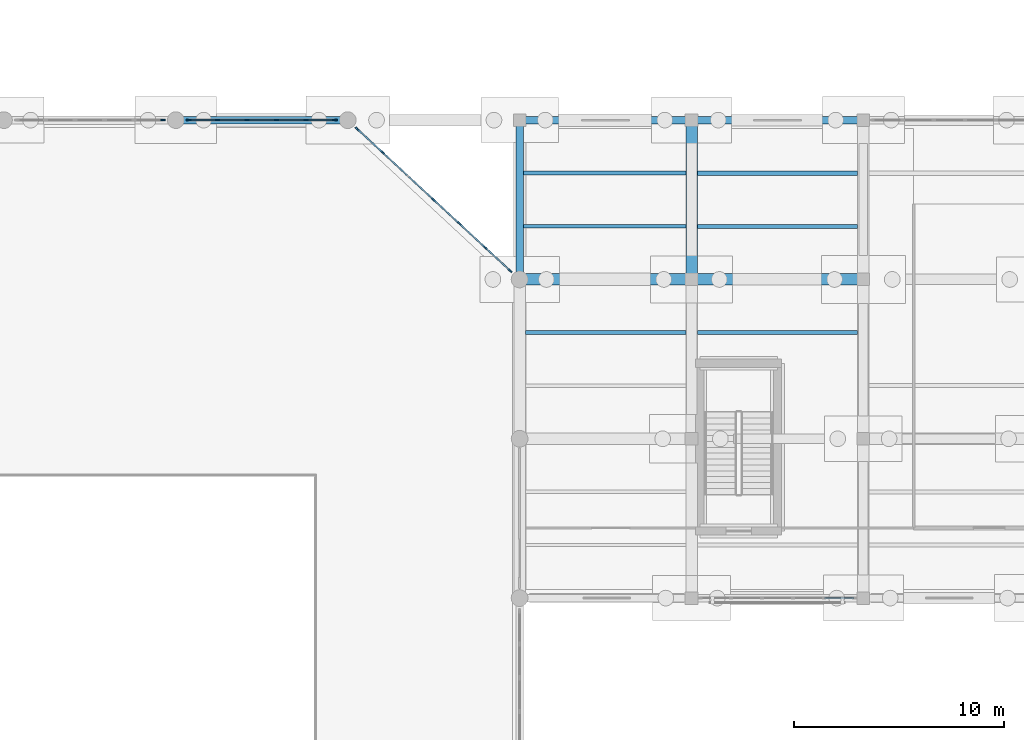
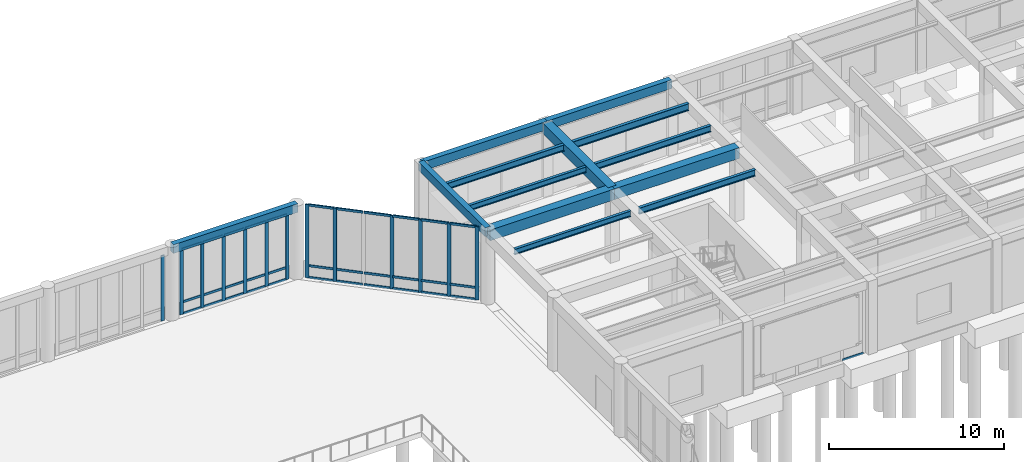
# One storey, part 26 of 64: 47 members, 13 beams, 4 elements without a shape of their own.
"""IFC4 building model written with IfcOpenShell, lengths in metres."""

from ifc_helpers import new_model, si_unit, direction, frame, origin, origin_2d, place, context, subcontext, project, spatial, rectangle, i_section, extrude, material, material_profile, profile_set, type_object, element, aggregate, save


model = new_model("IFC4")

# Units and contexts
model_context = context("Model", 3, precision=1e-05, world=origin(), true_north=direction((0.0, 1.0)))
body_context = subcontext(model_context, "Body", "Model", "MODEL_VIEW")
ifc_project = project(units=[si_unit("LENGTHUNIT", "METRE"), si_unit("AREAUNIT", "SQUARE_METRE"), si_unit("VOLUMEUNIT", "CUBIC_METRE"), si_unit("PLANEANGLEUNIT", "RADIAN"), si_unit("MASSUNIT", "GRAM", prefix="KILO")], contexts=[model_context])

# Site, building, storey
site_placement = place(None, origin())
site = spatial("IfcSite", under=ifc_project, at=site_placement, CompositionType="ELEMENT")
building_placement = place(site_placement, origin())
building = spatial("IfcBuilding", under=site, at=building_placement, Name="Qandaris Square Conservatory and Botanical Centre", CompositionType="ELEMENT")
storey_placement = place(building_placement, origin())
storey = spatial("IfcBuildingStorey", under=building, at=storey_placement, Name="L00", CompositionType="ELEMENT", Elevation=0.0)

# Beams
ifc_material_1 = material(Name="Steel S355", Category="steel")
ifc_material_profile_1 = material_profile(ifc_material_1, i_section(OverallWidth=0.18994140625, OverallDepth=0.449951171875, WebThickness=0.009521484375, FlangeThickness=0.0146484375, FilletRadius=0.02099609375, at=origin_2d()), Name="IPE 450")
ifc_profile_set_1 = profile_set([ifc_material_profile_1], Name="Steel S355")
beam_type_1 = type_object("IfcBeamType", Name="Composite Archive Joist IPE 450", PredefinedType="JOIST", material=ifc_profile_set_1)
beam_1_placement = place(storey_placement, frame((57.375, 112.86669921875, 4.864990234375), z_axis=(1.0, 0.0, 0.0), x_axis=(0.0, 1.0, 0.0)))
element("IfcBeam", 1, at=beam_1_placement, inside=storey, type_object=beam_type_1, Name="L00 Composite Joist 0722", PredefinedType="JOIST", context=body_context, shape_type="SweptSolid", body=[
    extrude(i_section(OverallWidth=0.18994140625, OverallDepth=0.449951171875, WebThickness=0.009521484375, FlangeThickness=0.0146484375, FilletRadius=0.02099609375, at=origin_2d()), origin(), (0.0, 0.0, 1.0), 7.75),
])
for number, where, z_axis, x_axis, name in (
    (2, (65.675048828125, 105.2666015625, 4.864990234375), (1.0, 0.0, 0.0), (0.0, 1.0, 0.0), "L00 Composite Joist 0724"),
    (3, (65.675048828125, 110.333251953125, 4.864990234375), (1.0, 0.0, 0.0), (0.0, 1.0, 0.0), "L00 Composite Joist 0725"),
):
    element("IfcBeam", number, at=place(storey_placement, frame(where, z_axis=z_axis, x_axis=x_axis)), inside=storey, type_object=beam_type_1, Name=name, PredefinedType="JOIST", context=body_context, shape_type="SweptSolid", body=[
        extrude(i_section(OverallWidth=0.18994140625, OverallDepth=0.449951171875, WebThickness=0.009521484375, FlangeThickness=0.0146484375, FilletRadius=0.02099609375, at=origin_2d()), origin(), (0.0, 0.0, 1.0), 7.64990234375),
    ])
ifc_material_profile_2 = material_profile(ifc_material_1, i_section(OverallWidth=0.199951171875, OverallDepth=0.5, WebThickness=0.01025390625, FlangeThickness=0.01611328125, FilletRadius=0.02099609375, at=origin_2d()), Name="IPE 500")
ifc_profile_set_2 = profile_set([ifc_material_profile_2], Name="Steel S355")
beam_type_2 = type_object("IfcBeamType", Name="Composite Gallery Joist IPE 500", PredefinedType="JOIST", material=ifc_profile_set_2)
beam_2_placement = place(storey_placement, frame((65.675048828125, 112.86669921875, 4.840087890625), z_axis=(1.0, 0.0, 0.0), x_axis=(0.0, 1.0, 0.0)))
element("IfcBeam", 4, at=beam_2_placement, inside=storey, type_object=beam_type_2, Name="L00 Composite Joist 0726", PredefinedType="JOIST", context=body_context, shape_type="SweptSolid", body=[
    extrude(i_section(OverallWidth=0.199951171875, OverallDepth=0.5, WebThickness=0.01025390625, FlangeThickness=0.01611328125, FilletRadius=0.02099609375, at=origin_2d()), origin(), (0.0, 0.0, 1.0), 7.64990234375),
])
ifc_material_profile_3 = material_profile(ifc_material_1, i_section(OverallWidth=0.179931640625, OverallDepth=0.39990234375, WebThickness=0.008544921875, FlangeThickness=0.013427734375, FilletRadius=0.02099609375, at=origin_2d()), Name="IPE 400")
ifc_profile_set_3 = profile_set([ifc_material_profile_3], Name="Steel S355")
beam_type_3 = type_object("IfcBeamType", Name="Composite Plinth Joist IPE 400", PredefinedType="JOIST", material=ifc_profile_set_3)
beam_3_placement = place(storey_placement, frame((57.47509765625, 105.2666015625, 4.889892578125), z_axis=(1.0, 0.0, 0.0), x_axis=(0.0, 1.0, 0.0)))
element("IfcBeam", 5, at=beam_3_placement, inside=storey, type_object=beam_type_3, Name="L00 Composite Joist 0720", PredefinedType="JOIST", context=body_context, shape_type="SweptSolid", body=[
    extrude(i_section(OverallWidth=0.179931640625, OverallDepth=0.39990234375, WebThickness=0.008544921875, FlangeThickness=0.013427734375, FilletRadius=0.02099609375, at=origin_2d()), origin(), (0.0, 0.0, 1.0), 7.64990234375),
])
beam_4_placement = place(storey_placement, frame((57.375, 110.333251953125, 4.889892578125), z_axis=(1.0, 0.0, 0.0), x_axis=(0.0, 1.0, 0.0)))
element("IfcBeam", 6, at=beam_4_placement, inside=storey, type_object=beam_type_3, Name="L00 Composite Joist 0721", PredefinedType="JOIST", context=body_context, shape_type="SweptSolid", body=[
    extrude(i_section(OverallWidth=0.179931640625, OverallDepth=0.39990234375, WebThickness=0.008544921875, FlangeThickness=0.013427734375, FilletRadius=0.02099609375, at=origin_2d()), origin(), (0.0, 0.0, 1.0), 7.75),
])

# Curtain wall, members
ifc_material_2 = material(Name="Anodised Aluminium", Category="aluminium")
curtain_wall_type_1 = type_object("IfcCurtainWallType", Name="Unitised Curtain Wall CW-1-1002x510", PredefinedType="USERDEFINED", material=ifc_material_2)
curtain_wall_1_placement = place(storey_placement, origin())
curtain_wall_1 = element("IfcCurtainWall", 7, at=curtain_wall_1_placement, inside=storey, type_object=curtain_wall_type_1, Name="Curtain Wall CW-CON-L00-4-1", ObjectType="GLAZED CURTAIN WALL", PredefinedType="USERDEFINED")
ifc_material_profile_4 = material_profile(ifc_material_2, rectangle(XDim=0.074951171875, YDim=0.219970703125, at=origin_2d()), Name="ALU-MUL 75x220")
ifc_profile_set_4 = profile_set([ifc_material_profile_4], Name="Anodised Aluminium")
member_type_1 = type_object("IfcMemberType", Name="Conservatory Heavy Mullion 75x220", PredefinedType="MULLION", material=ifc_profile_set_4)
member_1_placement = place(storey_placement, frame((56.7470703125, 108.2197265625, 0.0), z_axis=(0.0, 0.0, 1.0), x_axis=(-0.679761784592, -0.733432966404, 0.0)))
member_1 = element("IfcMember", 8, at=member_1_placement, type_object=member_type_1, Name="CW-1-1002x510 mullion 1", PredefinedType="MULLION", context=body_context, shape_type="SweptSolid", body=[
    extrude(rectangle(XDim=0.074951171875, YDim=0.219970703125, at=origin_2d()), origin(), (0.0, 0.0, 1.0), 5.10009765625),
])
member_2_placement = place(storey_placement, frame((55.5498046875, 109.32958984375, 0.0), z_axis=(0.0, 0.0, 1.0), x_axis=(-0.679761784592, -0.733432966404, 0.0)))
member_2 = element("IfcMember", 9, at=member_2_placement, type_object=member_type_1, Name="CW-1-1002x510 mullion 2", PredefinedType="MULLION", context=body_context, shape_type="SweptSolid", body=[
    extrude(rectangle(XDim=0.074951171875, YDim=0.219970703125, at=origin_2d()), origin(), (0.0, 0.0, 1.0), 5.10009765625),
])
member_3_placement = place(storey_placement, frame((54.324951171875, 110.46484375, 0.0), z_axis=(0.0, 0.0, 1.0), x_axis=(-0.679761784592, -0.733432966404, 0.0)))
member_3 = element("IfcMember", 10, at=member_3_placement, type_object=member_type_1, Name="CW-1-1002x510 mullion 3", PredefinedType="MULLION", context=body_context, shape_type="SweptSolid", body=[
    extrude(rectangle(XDim=0.074951171875, YDim=0.219970703125, at=origin_2d()), origin(), (0.0, 0.0, 1.0), 5.10009765625),
])
member_4_placement = place(storey_placement, frame((53.10009765625, 111.60009765625, 0.0), z_axis=(0.0, 0.0, 1.0), x_axis=(-0.679761784592, -0.733432966404, 0.0)))
member_4 = element("IfcMember", 11, at=member_4_placement, type_object=member_type_1, Name="CW-1-1002x510 mullion 4", PredefinedType="MULLION", context=body_context, shape_type="SweptSolid", body=[
    extrude(rectangle(XDim=0.074951171875, YDim=0.219970703125, at=origin_2d()), origin(), (0.0, 0.0, 1.0), 5.10009765625),
])
member_5_placement = place(storey_placement, frame((50.650146484375, 113.870361328125, 0.0), z_axis=(0.0, 0.0, 1.0), x_axis=(-0.679761784592, -0.733432966404, 0.0)))
member_5 = element("IfcMember", 12, at=member_5_placement, type_object=member_type_1, Name="CW-1-1002x510 mullion 6", PredefinedType="MULLION", context=body_context, shape_type="SweptSolid", body=[
    extrude(rectangle(XDim=0.074951171875, YDim=0.219970703125, at=origin_2d()), origin(), (0.0, 0.0, 1.0), 5.10009765625),
])
member_6_placement = place(storey_placement, frame((49.452880859375, 114.980224609375, 0.0), z_axis=(0.0, 0.0, 1.0), x_axis=(-0.679761784592, -0.733432966404, 0.0)))
member_6 = element("IfcMember", 13, at=member_6_placement, type_object=member_type_1, Name="CW-1-1002x510 mullion 7", PredefinedType="MULLION", context=body_context, shape_type="SweptSolid", body=[
    extrude(rectangle(XDim=0.074951171875, YDim=0.219970703125, at=origin_2d()), origin(), (0.0, 0.0, 1.0), 5.10009765625),
])

curtain_wall_type_2 = type_object("IfcCurtainWallType", Name="Unitised Curtain Wall CW-1-704x454", PredefinedType="USERDEFINED", material=ifc_material_2)
curtain_wall_2_placement = place(storey_placement, origin())
curtain_wall_2 = element("IfcCurtainWall", 14, at=curtain_wall_2_placement, inside=storey, type_object=curtain_wall_type_2, Name="Curtain Wall CW-CON-L00-5-1", ObjectType="GLAZED CURTAIN WALL", PredefinedType="USERDEFINED")
member_7_placement = place(storey_placement, frame((48.382568359375, 115.39990234375, 0.0), z_axis=(0.0, 0.0, 1.0), x_axis=(0.0, -1.0, 0.0)))
member_7 = element("IfcMember", 15, at=member_7_placement, type_object=member_type_1, Name="CW-1-704x454 mullion 1", PredefinedType="MULLION", context=body_context, shape_type="SweptSolid", body=[
    extrude(rectangle(XDim=0.074951171875, YDim=0.219970703125, at=origin_2d()), origin(), (0.0, 0.0, 1.0), 4.544921875),
])
member_8_placement = place(storey_placement, frame((47.011962890625, 115.39990234375, 0.0), z_axis=(0.0, 0.0, 1.0), x_axis=(0.0, -1.0, 0.0)))
member_8 = element("IfcMember", 16, at=member_8_placement, type_object=member_type_1, Name="CW-1-704x454 mullion 2", PredefinedType="MULLION", context=body_context, shape_type="SweptSolid", body=[
    extrude(rectangle(XDim=0.074951171875, YDim=0.219970703125, at=origin_2d()), origin(), (0.0, 0.0, 1.0), 4.544921875),
])
member_9_placement = place(storey_placement, frame((45.60400390625, 115.39990234375, 0.0), z_axis=(0.0, 0.0, 1.0), x_axis=(0.0, -1.0, 0.0)))
member_9 = element("IfcMember", 17, at=member_9_placement, type_object=member_type_1, Name="CW-1-704x454 mullion 3", PredefinedType="MULLION", context=body_context, shape_type="SweptSolid", body=[
    extrude(rectangle(XDim=0.074951171875, YDim=0.219970703125, at=origin_2d()), origin(), (0.0, 0.0, 1.0), 4.544921875),
])
member_10_placement = place(storey_placement, frame((44.196044921875, 115.39990234375, 0.0), z_axis=(0.0, 0.0, 1.0), x_axis=(0.0, -1.0, 0.0)))
member_10 = element("IfcMember", 18, at=member_10_placement, type_object=member_type_1, Name="CW-1-704x454 mullion 4", PredefinedType="MULLION", context=body_context, shape_type="SweptSolid", body=[
    extrude(rectangle(XDim=0.074951171875, YDim=0.219970703125, at=origin_2d()), origin(), (0.0, 0.0, 1.0), 4.544921875),
])
member_11_placement = place(storey_placement, frame((42.7880859375, 115.39990234375, 0.0), z_axis=(0.0, 0.0, 1.0), x_axis=(0.0, -1.0, 0.0)))
member_11 = element("IfcMember", 19, at=member_11_placement, type_object=member_type_1, Name="CW-1-704x454 mullion 5", PredefinedType="MULLION", context=body_context, shape_type="SweptSolid", body=[
    extrude(rectangle(XDim=0.074951171875, YDim=0.219970703125, at=origin_2d()), origin(), (0.0, 0.0, 1.0), 4.544921875),
])
member_12_placement = place(storey_placement, frame((41.41748046875, 115.39990234375, 0.0), z_axis=(0.0, 0.0, 1.0), x_axis=(0.0, -1.0, 0.0)))
member_12 = element("IfcMember", 20, at=member_12_placement, type_object=member_type_1, Name="CW-1-704x454 mullion 6", PredefinedType="MULLION", context=body_context, shape_type="SweptSolid", body=[
    extrude(rectangle(XDim=0.074951171875, YDim=0.219970703125, at=origin_2d()), origin(), (0.0, 0.0, 1.0), 4.544921875),
])

# Curtain wall, member
curtain_wall_3_placement = place(storey_placement, origin())
curtain_wall_3 = element("IfcCurtainWall", 21, at=curtain_wall_3_placement, inside=storey, type_object=curtain_wall_type_2, Name="Curtain Wall CW-CON-L00-5-2", ObjectType="GLAZED CURTAIN WALL", PredefinedType="USERDEFINED")
member_13_placement = place(storey_placement, frame((40.1826171875, 115.39990234375, 0.0), z_axis=(0.0, 0.0, 1.0), x_axis=(0.0, -1.0, 0.0)))
member_13 = element("IfcMember", 22, at=member_13_placement, type_object=member_type_1, Name="CW-1-704x454 mullion 1", PredefinedType="MULLION", context=body_context, shape_type="SweptSolid", body=[
    extrude(rectangle(XDim=0.074951171875, YDim=0.219970703125, at=origin_2d()), origin(), (0.0, 0.0, 1.0), 4.544921875),
])
aggregate(curtain_wall_3, [member_13])

# Member
ifc_material_profile_5 = material_profile(ifc_material_2, rectangle(XDim=0.074951171875, YDim=0.159912109375, at=origin_2d()), Name="ALU-TRN 75x160")
ifc_profile_set_5 = profile_set([ifc_material_profile_5], Name="Anodised Aluminium")
member_type_2 = type_object("IfcMemberType", Name="Conservatory Heavy Transom 75x160", PredefinedType="USERDEFINED", material=ifc_profile_set_5)
member_14_placement = place(storey_placement, frame((56.719482421875, 108.245361328125, 0.03759765625), z_axis=(-0.7334798559, 0.679711189395, 0.0), x_axis=(-0.679711189395, -0.7334798559, 0.0)))
member_14 = element("IfcMember", 23, at=member_14_placement, type_object=member_type_2, Name="CW-1-1002x510 transom 1.1", ObjectType="TRANSOM", PredefinedType="USERDEFINED", context=body_context, shape_type="SweptSolid", body=[
    extrude(rectangle(XDim=0.074951171875, YDim=0.159912109375, at=origin_2d()), origin(), (0.0, 0.0, 1.0), 1.557373046875),
])

member_15_placement = place(storey_placement, frame((56.719482421875, 108.245361328125, 0.85009765625), z_axis=(-0.7334798559, 0.679711189395, 0.0), x_axis=(-0.679711189395, -0.7334798559, 0.0)))
member_15 = element("IfcMember", 24, at=member_15_placement, type_object=member_type_2, Name="CW-1-1002x510 transom 1.2", ObjectType="TRANSOM", PredefinedType="USERDEFINED", context=body_context, shape_type="SweptSolid", body=[
    extrude(rectangle(XDim=0.074951171875, YDim=0.159912109375, at=origin_2d()), origin(), (0.0, 0.0, 1.0), 1.557373046875),
])

member_16_placement = place(storey_placement, frame((56.719482421875, 108.245361328125, 5.0625), z_axis=(-0.7334798559, 0.679711189395, 0.0), x_axis=(-0.679711189395, -0.7334798559, 0.0)))
member_16 = element("IfcMember", 25, at=member_16_placement, type_object=member_type_2, Name="CW-1-1002x510 transom 1.3", ObjectType="TRANSOM", PredefinedType="USERDEFINED", context=body_context, shape_type="SweptSolid", body=[
    extrude(rectangle(XDim=0.074951171875, YDim=0.159912109375, at=origin_2d()), origin(), (0.0, 0.0, 1.0), 1.557373046875),
])

member_17_placement = place(storey_placement, frame((55.522216796875, 109.35498046875, 0.03759765625), z_axis=(-0.733458213943, 0.679734542597, 0.0), x_axis=(-0.679734542597, -0.733458213943, 0.0)))
member_17 = element("IfcMember", 26, at=member_17_placement, type_object=member_type_2, Name="CW-1-1002x510 transom 2.1", ObjectType="TRANSOM", PredefinedType="USERDEFINED", context=body_context, shape_type="SweptSolid", body=[
    extrude(rectangle(XDim=0.074951171875, YDim=0.159912109375, at=origin_2d()), origin(), (0.0, 0.0, 1.0), 1.594970703125),
])

member_18_placement = place(storey_placement, frame((55.522216796875, 109.35498046875, 0.85009765625), z_axis=(-0.733458213943, 0.679734542597, 0.0), x_axis=(-0.679734542597, -0.733458213943, 0.0)))
member_18 = element("IfcMember", 27, at=member_18_placement, type_object=member_type_2, Name="CW-1-1002x510 transom 2.2", ObjectType="TRANSOM", PredefinedType="USERDEFINED", context=body_context, shape_type="SweptSolid", body=[
    extrude(rectangle(XDim=0.074951171875, YDim=0.159912109375, at=origin_2d()), origin(), (0.0, 0.0, 1.0), 1.594970703125),
])

member_19_placement = place(storey_placement, frame((55.522216796875, 109.35498046875, 5.0625), z_axis=(-0.733458213943, 0.679734542597, 0.0), x_axis=(-0.679734542597, -0.733458213943, 0.0)))
member_19 = element("IfcMember", 28, at=member_19_placement, type_object=member_type_2, Name="CW-1-1002x510 transom 2.3", ObjectType="TRANSOM", PredefinedType="USERDEFINED", context=body_context, shape_type="SweptSolid", body=[
    extrude(rectangle(XDim=0.074951171875, YDim=0.159912109375, at=origin_2d()), origin(), (0.0, 0.0, 1.0), 1.594970703125),
])

member_20_placement = place(storey_placement, frame((54.29736328125, 110.490234375, 0.03759765625), z_axis=(-0.733458213943, 0.679734542597, 0.0), x_axis=(-0.679734542597, -0.733458213943, 0.0)))
member_20 = element("IfcMember", 29, at=member_20_placement, type_object=member_type_2, Name="CW-1-1002x510 transom 3.1", ObjectType="TRANSOM", PredefinedType="USERDEFINED", context=body_context, shape_type="SweptSolid", body=[
    extrude(rectangle(XDim=0.074951171875, YDim=0.159912109375, at=origin_2d()), origin(), (0.0, 0.0, 1.0), 1.594970703125),
])

member_21_placement = place(storey_placement, frame((54.29736328125, 110.490234375, 0.85009765625), z_axis=(-0.733458213943, 0.679734542597, 0.0), x_axis=(-0.679734542597, -0.733458213943, 0.0)))
member_21 = element("IfcMember", 30, at=member_21_placement, type_object=member_type_2, Name="CW-1-1002x510 transom 3.2", ObjectType="TRANSOM", PredefinedType="USERDEFINED", context=body_context, shape_type="SweptSolid", body=[
    extrude(rectangle(XDim=0.074951171875, YDim=0.159912109375, at=origin_2d()), origin(), (0.0, 0.0, 1.0), 1.594970703125),
])

member_22_placement = place(storey_placement, frame((54.29736328125, 110.490234375, 5.0625), z_axis=(-0.733458213943, 0.679734542597, 0.0), x_axis=(-0.679734542597, -0.733458213943, 0.0)))
member_22 = element("IfcMember", 31, at=member_22_placement, type_object=member_type_2, Name="CW-1-1002x510 transom 3.3", ObjectType="TRANSOM", PredefinedType="USERDEFINED", context=body_context, shape_type="SweptSolid", body=[
    extrude(rectangle(XDim=0.074951171875, YDim=0.159912109375, at=origin_2d()), origin(), (0.0, 0.0, 1.0), 1.594970703125),
])

member_23_placement = place(storey_placement, frame((53.072509765625, 111.62548828125, 0.03759765625), z_axis=(-0.733458213943, 0.679734542597, 0.0), x_axis=(-0.679734542597, -0.733458213943, 0.0)))
member_23 = element("IfcMember", 32, at=member_23_placement, type_object=member_type_2, Name="CW-1-1002x510 transom 4.1", ObjectType="TRANSOM", PredefinedType="USERDEFINED", context=body_context, shape_type="SweptSolid", body=[
    extrude(rectangle(XDim=0.074951171875, YDim=0.159912109375, at=origin_2d()), origin(), (0.0, 0.0, 1.0), 1.594970703125),
])

member_24_placement = place(storey_placement, frame((53.072509765625, 111.62548828125, 0.85009765625), z_axis=(-0.733458213943, 0.679734542597, 0.0), x_axis=(-0.679734542597, -0.733458213943, 0.0)))
member_24 = element("IfcMember", 33, at=member_24_placement, type_object=member_type_2, Name="CW-1-1002x510 transom 4.2", ObjectType="TRANSOM", PredefinedType="USERDEFINED", context=body_context, shape_type="SweptSolid", body=[
    extrude(rectangle(XDim=0.074951171875, YDim=0.159912109375, at=origin_2d()), origin(), (0.0, 0.0, 1.0), 1.594970703125),
])

member_25_placement = place(storey_placement, frame((53.072509765625, 111.62548828125, 5.0625), z_axis=(-0.733458213943, 0.679734542597, 0.0), x_axis=(-0.679734542597, -0.733458213943, 0.0)))
member_25 = element("IfcMember", 34, at=member_25_placement, type_object=member_type_2, Name="CW-1-1002x510 transom 4.3", ObjectType="TRANSOM", PredefinedType="USERDEFINED", context=body_context, shape_type="SweptSolid", body=[
    extrude(rectangle(XDim=0.074951171875, YDim=0.159912109375, at=origin_2d()), origin(), (0.0, 0.0, 1.0), 1.594970703125),
])

member_26_placement = place(storey_placement, frame((51.84765625, 112.7607421875, 0.03759765625), z_axis=(-0.733458213943, 0.679734542597, 0.0), x_axis=(-0.679734542597, -0.733458213943, 0.0)))
member_26 = element("IfcMember", 35, at=member_26_placement, type_object=member_type_2, Name="CW-1-1002x510 transom 5.1", ObjectType="TRANSOM", PredefinedType="USERDEFINED", context=body_context, shape_type="SweptSolid", body=[
    extrude(rectangle(XDim=0.074951171875, YDim=0.159912109375, at=origin_2d()), origin(), (0.0, 0.0, 1.0), 1.594970703125),
])

member_27_placement = place(storey_placement, frame((51.84765625, 112.7607421875, 0.85009765625), z_axis=(-0.733458213943, 0.679734542597, 0.0), x_axis=(-0.679734542597, -0.733458213943, 0.0)))
member_27 = element("IfcMember", 36, at=member_27_placement, type_object=member_type_2, Name="CW-1-1002x510 transom 5.2", ObjectType="TRANSOM", PredefinedType="USERDEFINED", context=body_context, shape_type="SweptSolid", body=[
    extrude(rectangle(XDim=0.074951171875, YDim=0.159912109375, at=origin_2d()), origin(), (0.0, 0.0, 1.0), 1.594970703125),
])

member_28_placement = place(storey_placement, frame((51.84765625, 112.7607421875, 5.0625), z_axis=(-0.733458213943, 0.679734542597, 0.0), x_axis=(-0.679734542597, -0.733458213943, 0.0)))
member_28 = element("IfcMember", 37, at=member_28_placement, type_object=member_type_2, Name="CW-1-1002x510 transom 5.3", ObjectType="TRANSOM", PredefinedType="USERDEFINED", context=body_context, shape_type="SweptSolid", body=[
    extrude(rectangle(XDim=0.074951171875, YDim=0.159912109375, at=origin_2d()), origin(), (0.0, 0.0, 1.0), 1.594970703125),
])

member_29_placement = place(storey_placement, frame((50.622802734375, 113.89599609375, 0.03759765625), z_axis=(-0.733401706001, 0.679795511632, 0.0), x_axis=(-0.679795511632, -0.733401706001, 0.0)))
member_29 = element("IfcMember", 38, at=member_29_placement, type_object=member_type_2, Name="CW-1-1002x510 transom 6.1", ObjectType="TRANSOM", PredefinedType="USERDEFINED", context=body_context, shape_type="SweptSolid", body=[
    extrude(rectangle(XDim=0.074951171875, YDim=0.159912109375, at=origin_2d()), origin(), (0.0, 0.0, 1.0), 1.5576171875),
])

member_30_placement = place(storey_placement, frame((50.622802734375, 113.89599609375, 0.85009765625), z_axis=(-0.733401706001, 0.679795511632, 0.0), x_axis=(-0.679795511632, -0.733401706001, 0.0)))
member_30 = element("IfcMember", 39, at=member_30_placement, type_object=member_type_2, Name="CW-1-1002x510 transom 6.2", ObjectType="TRANSOM", PredefinedType="USERDEFINED", context=body_context, shape_type="SweptSolid", body=[
    extrude(rectangle(XDim=0.074951171875, YDim=0.159912109375, at=origin_2d()), origin(), (0.0, 0.0, 1.0), 1.5576171875),
])

member_31_placement = place(storey_placement, frame((50.622802734375, 113.89599609375, 5.0625), z_axis=(-0.733401706001, 0.679795511632, 0.0), x_axis=(-0.679795511632, -0.733401706001, 0.0)))
member_31 = element("IfcMember", 40, at=member_31_placement, type_object=member_type_2, Name="CW-1-1002x510 transom 6.3", ObjectType="TRANSOM", PredefinedType="USERDEFINED", context=body_context, shape_type="SweptSolid", body=[
    extrude(rectangle(XDim=0.074951171875, YDim=0.159912109375, at=origin_2d()), origin(), (0.0, 0.0, 1.0), 1.5576171875),
])

aggregate(curtain_wall_1, [member_1, member_2, member_3, member_4, member_5, member_6, member_14, member_15, member_16, member_17, member_18, member_19, member_20, member_21, member_22, member_23, member_24, member_25, member_26, member_27, member_28, member_29, member_30, member_31])

member_32_placement = place(storey_placement, frame((48.344970703125, 115.39990234375, 0.03759765625), z_axis=(-1.0, 0.0, 0.0), x_axis=(0.0, -1.0, 0.0)))
member_32 = element("IfcMember", 41, at=member_32_placement, type_object=member_type_2, Name="CW-1-704x454 transom 1.1", ObjectType="TRANSOM", PredefinedType="USERDEFINED", context=body_context, shape_type="SweptSolid", body=[
    extrude(rectangle(XDim=0.074951171875, YDim=0.159912109375, at=origin_2d()), origin(), (0.0, 0.0, 1.0), 1.29541015625),
])

member_33_placement = place(storey_placement, frame((48.344970703125, 115.39990234375, 0.85009765625), z_axis=(-1.0, 0.0, 0.0), x_axis=(0.0, -1.0, 0.0)))
member_33 = element("IfcMember", 42, at=member_33_placement, type_object=member_type_2, Name="CW-1-704x454 transom 1.2", ObjectType="TRANSOM", PredefinedType="USERDEFINED", context=body_context, shape_type="SweptSolid", body=[
    extrude(rectangle(XDim=0.074951171875, YDim=0.159912109375, at=origin_2d()), origin(), (0.0, 0.0, 1.0), 1.29541015625),
])

member_34_placement = place(storey_placement, frame((48.344970703125, 115.39990234375, 4.507568359375), z_axis=(-1.0, 0.0, 0.0), x_axis=(0.0, -1.0, 0.0)))
member_34 = element("IfcMember", 43, at=member_34_placement, type_object=member_type_2, Name="CW-1-704x454 transom 1.3", ObjectType="TRANSOM", PredefinedType="USERDEFINED", context=body_context, shape_type="SweptSolid", body=[
    extrude(rectangle(XDim=0.074951171875, YDim=0.159912109375, at=origin_2d()), origin(), (0.0, 0.0, 1.0), 1.29541015625),
])

member_35_placement = place(storey_placement, frame((46.974609375, 115.39990234375, 0.03759765625), z_axis=(-1.0, 0.0, 0.0), x_axis=(0.0, -1.0, 0.0)))
member_35 = element("IfcMember", 44, at=member_35_placement, type_object=member_type_2, Name="CW-1-704x454 transom 2.1", ObjectType="TRANSOM", PredefinedType="USERDEFINED", context=body_context, shape_type="SweptSolid", body=[
    extrude(rectangle(XDim=0.074951171875, YDim=0.159912109375, at=origin_2d()), origin(), (0.0, 0.0, 1.0), 1.3330078125),
])

member_36_placement = place(storey_placement, frame((46.974609375, 115.39990234375, 0.85009765625), z_axis=(-1.0, 0.0, 0.0), x_axis=(0.0, -1.0, 0.0)))
member_36 = element("IfcMember", 45, at=member_36_placement, type_object=member_type_2, Name="CW-1-704x454 transom 2.2", ObjectType="TRANSOM", PredefinedType="USERDEFINED", context=body_context, shape_type="SweptSolid", body=[
    extrude(rectangle(XDim=0.074951171875, YDim=0.159912109375, at=origin_2d()), origin(), (0.0, 0.0, 1.0), 1.3330078125),
])

member_37_placement = place(storey_placement, frame((46.974609375, 115.39990234375, 4.507568359375), z_axis=(-1.0, 0.0, 0.0), x_axis=(0.0, -1.0, 0.0)))
member_37 = element("IfcMember", 46, at=member_37_placement, type_object=member_type_2, Name="CW-1-704x454 transom 2.3", ObjectType="TRANSOM", PredefinedType="USERDEFINED", context=body_context, shape_type="SweptSolid", body=[
    extrude(rectangle(XDim=0.074951171875, YDim=0.159912109375, at=origin_2d()), origin(), (0.0, 0.0, 1.0), 1.3330078125),
])

member_38_placement = place(storey_placement, frame((45.56640625, 115.39990234375, 0.03759765625), z_axis=(-1.0, 0.0, 0.0), x_axis=(0.0, -1.0, 0.0)))
member_38 = element("IfcMember", 47, at=member_38_placement, type_object=member_type_2, Name="CW-1-704x454 transom 3.1", ObjectType="TRANSOM", PredefinedType="USERDEFINED", context=body_context, shape_type="SweptSolid", body=[
    extrude(rectangle(XDim=0.074951171875, YDim=0.159912109375, at=origin_2d()), origin(), (0.0, 0.0, 1.0), 1.3330078125),
])

member_39_placement = place(storey_placement, frame((45.56640625, 115.39990234375, 0.85009765625), z_axis=(-1.0, 0.0, 0.0), x_axis=(0.0, -1.0, 0.0)))
member_39 = element("IfcMember", 48, at=member_39_placement, type_object=member_type_2, Name="CW-1-704x454 transom 3.2", ObjectType="TRANSOM", PredefinedType="USERDEFINED", context=body_context, shape_type="SweptSolid", body=[
    extrude(rectangle(XDim=0.074951171875, YDim=0.159912109375, at=origin_2d()), origin(), (0.0, 0.0, 1.0), 1.3330078125),
])

member_40_placement = place(storey_placement, frame((45.56640625, 115.39990234375, 4.507568359375), z_axis=(-1.0, 0.0, 0.0), x_axis=(0.0, -1.0, 0.0)))
member_40 = element("IfcMember", 49, at=member_40_placement, type_object=member_type_2, Name="CW-1-704x454 transom 3.3", ObjectType="TRANSOM", PredefinedType="USERDEFINED", context=body_context, shape_type="SweptSolid", body=[
    extrude(rectangle(XDim=0.074951171875, YDim=0.159912109375, at=origin_2d()), origin(), (0.0, 0.0, 1.0), 1.3330078125),
])

member_41_placement = place(storey_placement, frame((44.158447265625, 115.39990234375, 0.03759765625), z_axis=(-1.0, 0.0, 0.0), x_axis=(0.0, -1.0, 0.0)))
member_41 = element("IfcMember", 50, at=member_41_placement, type_object=member_type_2, Name="CW-1-704x454 transom 4.1", ObjectType="TRANSOM", PredefinedType="USERDEFINED", context=body_context, shape_type="SweptSolid", body=[
    extrude(rectangle(XDim=0.074951171875, YDim=0.159912109375, at=origin_2d()), origin(), (0.0, 0.0, 1.0), 1.3330078125),
])

member_42_placement = place(storey_placement, frame((44.158447265625, 115.39990234375, 0.85009765625), z_axis=(-1.0, 0.0, 0.0), x_axis=(0.0, -1.0, 0.0)))
member_42 = element("IfcMember", 51, at=member_42_placement, type_object=member_type_2, Name="CW-1-704x454 transom 4.2", ObjectType="TRANSOM", PredefinedType="USERDEFINED", context=body_context, shape_type="SweptSolid", body=[
    extrude(rectangle(XDim=0.074951171875, YDim=0.159912109375, at=origin_2d()), origin(), (0.0, 0.0, 1.0), 1.3330078125),
])

member_43_placement = place(storey_placement, frame((44.158447265625, 115.39990234375, 4.507568359375), z_axis=(-1.0, 0.0, 0.0), x_axis=(0.0, -1.0, 0.0)))
member_43 = element("IfcMember", 52, at=member_43_placement, type_object=member_type_2, Name="CW-1-704x454 transom 4.3", ObjectType="TRANSOM", PredefinedType="USERDEFINED", context=body_context, shape_type="SweptSolid", body=[
    extrude(rectangle(XDim=0.074951171875, YDim=0.159912109375, at=origin_2d()), origin(), (0.0, 0.0, 1.0), 1.3330078125),
])

member_44_placement = place(storey_placement, frame((42.75048828125, 115.39990234375, 0.03759765625), z_axis=(-1.0, 0.0, 0.0), x_axis=(0.0, -1.0, 0.0)))
member_44 = element("IfcMember", 53, at=member_44_placement, type_object=member_type_2, Name="CW-1-704x454 transom 5.1", ObjectType="TRANSOM", PredefinedType="USERDEFINED", context=body_context, shape_type="SweptSolid", body=[
    extrude(rectangle(XDim=0.074951171875, YDim=0.159912109375, at=origin_2d()), origin(), (0.0, 0.0, 1.0), 1.29541015625),
])

member_45_placement = place(storey_placement, frame((42.75048828125, 115.39990234375, 0.85009765625), z_axis=(-1.0, 0.0, 0.0), x_axis=(0.0, -1.0, 0.0)))
member_45 = element("IfcMember", 54, at=member_45_placement, type_object=member_type_2, Name="CW-1-704x454 transom 5.2", ObjectType="TRANSOM", PredefinedType="USERDEFINED", context=body_context, shape_type="SweptSolid", body=[
    extrude(rectangle(XDim=0.074951171875, YDim=0.159912109375, at=origin_2d()), origin(), (0.0, 0.0, 1.0), 1.29541015625),
])

member_46_placement = place(storey_placement, frame((42.75048828125, 115.39990234375, 4.507568359375), z_axis=(-1.0, 0.0, 0.0), x_axis=(0.0, -1.0, 0.0)))
member_46 = element("IfcMember", 55, at=member_46_placement, type_object=member_type_2, Name="CW-1-704x454 transom 5.3", ObjectType="TRANSOM", PredefinedType="USERDEFINED", context=body_context, shape_type="SweptSolid", body=[
    extrude(rectangle(XDim=0.074951171875, YDim=0.159912109375, at=origin_2d()), origin(), (0.0, 0.0, 1.0), 1.29541015625),
])

aggregate(curtain_wall_2, [member_7, member_8, member_9, member_10, member_11, member_12, member_32, member_33, member_34, member_35, member_36, member_37, member_38, member_39, member_40, member_41, member_42, member_43, member_44, member_45, member_46])

# Curtain wall, member
curtain_wall_type_3 = type_object("IfcCurtainWallType", Name="Unitised Curtain Wall CW-5-740x450", PredefinedType="USERDEFINED", material=ifc_material_2)
curtain_wall_4_placement = place(storey_placement, origin())
curtain_wall_4 = element("IfcCurtainWall", 56, at=curtain_wall_4_placement, inside=storey, type_object=curtain_wall_type_3, Name="Curtain Wall CW-V3B-L00-1-2", ObjectType="GLAZED CURTAIN WALL", PredefinedType="USERDEFINED")
ifc_material_profile_6 = material_profile(ifc_material_2, rectangle(XDim=0.06494140625, YDim=0.139892578125, at=origin_2d()), Name="ALU-TRN 65x140")
ifc_profile_set_6 = profile_set([ifc_material_profile_6], Name="Anodised Aluminium")
member_type_3 = type_object("IfcMemberType", Name="Curtain Wall Transom 65x140", PredefinedType="USERDEFINED", material=ifc_profile_set_6)
member_47_placement = place(storey_placement, frame((71.75244140625, 92.60009765625, 0.032470703125), z_axis=(1.0, 0.0, 0.0), x_axis=(0.0, 1.0, 0.0)))
member_47 = element("IfcMember", 57, at=member_47_placement, type_object=member_type_3, Name="CW-5-740x450 transom 5.1", ObjectType="TRANSOM", PredefinedType="USERDEFINED", context=body_context, shape_type="SweptSolid", body=[
    extrude(rectangle(XDim=0.06494140625, YDim=0.139892578125, at=origin_2d()), origin(), (0.0, 0.0, 1.0), 1.382568359375),
])
aggregate(curtain_wall_4, [member_47])

# Beams
ifc_material_3 = material(Name="Concrete C50/60", Category="concrete")
ifc_material_profile_7 = material_profile(ifc_material_3, rectangle(XDim=0.35009765625, YDim=0.60009765625, at=origin_2d()), Name="RC-SP 350x600")
ifc_profile_set_7 = profile_set([ifc_material_profile_7], Name="Concrete C50/60")
beam_type_4 = type_object("IfcBeamType", Name="RC Edge Spandrel Beam 350x600", PredefinedType="SPANDREL", material=ifc_profile_set_7)
for number, where, z_axis, x_axis, name in (
    (58, (40.800048828125, 115.39990234375, 4.844970703125), (1.0, 0.0, 0.0), (0.0, 1.0, 0.0), "L00 Frame Beam 0487"),
    (59, (57.199951171875, 115.39990234375, 4.844970703125), (1.0, 0.0, 0.0), (0.0, 1.0, 0.0), "L00 Frame Beam 0488"),
):
    element("IfcBeam", number, at=place(storey_placement, frame(where, z_axis=z_axis, x_axis=x_axis)), inside=storey, type_object=beam_type_4, Name=name, PredefinedType="SPANDREL", context=body_context, shape_type="SweptSolid", body=[
        extrude(rectangle(XDim=0.35009765625, YDim=0.60009765625, at=origin_2d()), origin(), (0.0, 0.0, 1.0), 8.199951171875),
    ])
beam_5_placement = place(storey_placement, frame((65.39990234375, 115.39990234375, 4.844970703125), z_axis=(1.0, 0.0, 0.0), x_axis=(0.0, 1.0, 0.0)))
element("IfcBeam", 60, at=beam_5_placement, inside=storey, type_object=beam_type_4, Name="L00 Frame Beam 0489", PredefinedType="SPANDREL", context=body_context, shape_type="SweptSolid", body=[
    extrude(rectangle(XDim=0.35009765625, YDim=0.60009765625, at=origin_2d()), origin(), (0.0, 0.0, 1.0), 8.2001953125),
])
beam_6_placement = place(storey_placement, frame((57.199951171875, 107.800048828125, 4.844970703125), z_axis=(0.0, 1.0, 0.0), x_axis=(-1.0, 0.0, 0.0)))
element("IfcBeam", 61, at=beam_6_placement, inside=storey, type_object=beam_type_4, Name="L00 Frame Beam 0558", PredefinedType="SPANDREL", context=body_context, shape_type="SweptSolid", body=[
    extrude(rectangle(XDim=0.35009765625, YDim=0.60009765625, at=origin_2d()), origin(), (0.0, 0.0, 1.0), 7.599853515625),
])
ifc_material_profile_8 = material_profile(ifc_material_3, rectangle(XDim=0.550048828125, YDim=0.75, at=origin_2d()), Name="RC-BM 550x750")
ifc_profile_set_8 = profile_set([ifc_material_profile_8], Name="Concrete C50/60")
beam_type_5 = type_object("IfcBeamType", Name="RC Plinth Girder 550x750", PredefinedType="BEAM", material=ifc_profile_set_8)
beam_7_placement = place(storey_placement, frame((57.199951171875, 107.800048828125, 4.72509765625), z_axis=(1.0, 0.0, 0.0), x_axis=(0.0, 1.0, 0.0)))
element("IfcBeam", 62, at=beam_7_placement, inside=storey, type_object=beam_type_5, Name="L00 Frame Beam 0472", PredefinedType="BEAM", context=body_context, shape_type="SweptSolid", body=[
    extrude(rectangle(XDim=0.550048828125, YDim=0.75, at=origin_2d()), origin(), (0.0, 0.0, 1.0), 8.199951171875),
])
beam_8_placement = place(storey_placement, frame((65.39990234375, 107.800048828125, 4.72509765625), z_axis=(1.0, 0.0, 0.0), x_axis=(0.0, 1.0, 0.0)))
element("IfcBeam", 63, at=beam_8_placement, inside=storey, type_object=beam_type_5, Name="L00 Frame Beam 0473", PredefinedType="BEAM", context=body_context, shape_type="SweptSolid", body=[
    extrude(rectangle(XDim=0.550048828125, YDim=0.75, at=origin_2d()), origin(), (0.0, 0.0, 1.0), 8.2001953125),
])
beam_9_placement = place(storey_placement, frame((65.39990234375, 107.800048828125, 4.72509765625), z_axis=(0.0, 1.0, 0.0), x_axis=(-1.0, 0.0, 0.0)))
element("IfcBeam", 64, at=beam_9_placement, inside=storey, type_object=beam_type_5, Name="L00 Frame Beam 0562", PredefinedType="BEAM", context=body_context, shape_type="SweptSolid", body=[
    extrude(rectangle(XDim=0.550048828125, YDim=0.75, at=origin_2d()), origin(), (0.0, 0.0, 1.0), 7.599853515625),
])

save(model, "model.ifc")
